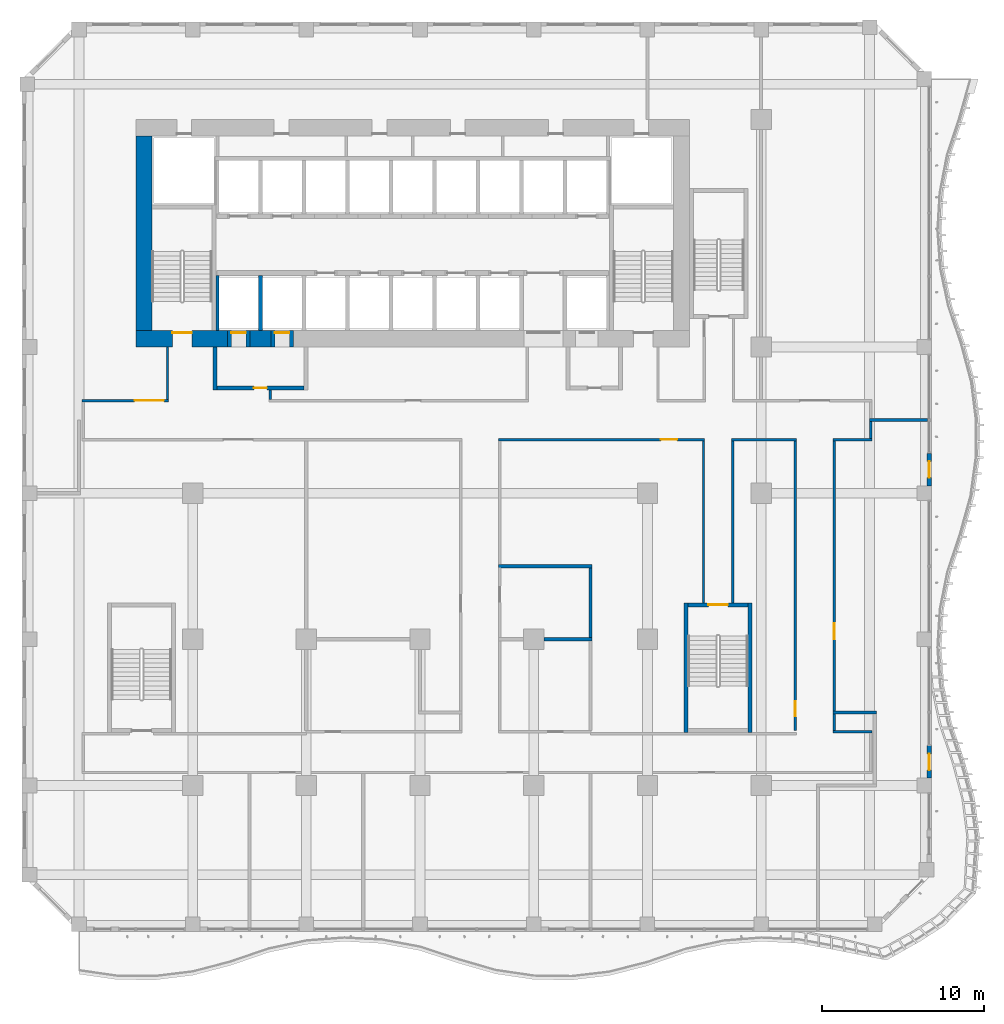
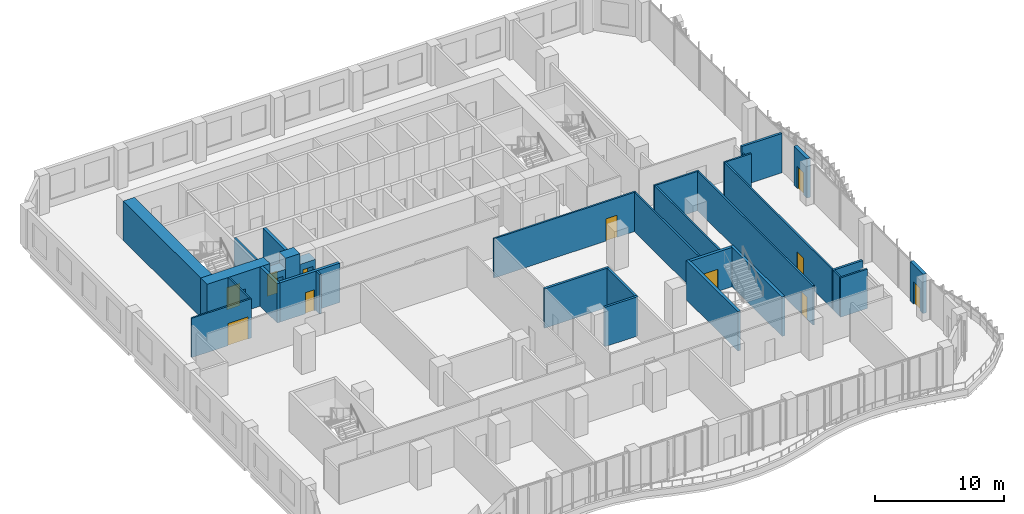
# One storey, part 15 of 29: 32 walls, 11 doors, 11 openings.
"""IFC4 building model written with IfcOpenShell, lengths in metres."""

from ifc_helpers import new_model, si_unit, direction, frame, frame_2d, origin, place, context, subcontext, project, spatial, rectangle, extrude, source, transform, mapped, material, layer, layer_set, type_object, element, fill, save


model = new_model("IFC4")

# Units and contexts
model_context = context("Model", 3, precision=1e-05, world=origin(), true_north=direction((0.0, 1.0)))
body_context = subcontext(model_context, "Body", "Model", "MODEL_VIEW")
ifc_project = project(units=[si_unit("LENGTHUNIT", "METRE"), si_unit("AREAUNIT", "SQUARE_METRE"), si_unit("VOLUMEUNIT", "CUBIC_METRE"), si_unit("PLANEANGLEUNIT", "RADIAN"), si_unit("MASSUNIT", "GRAM", prefix="KILO")], contexts=[model_context])

# Site, building, storey
site_placement = place(None, origin())
site = spatial("IfcSite", under=ifc_project, at=site_placement, CompositionType="ELEMENT")
building_placement = place(site_placement, origin())
building = spatial("IfcBuilding", under=site, at=building_placement, Name="Kilnfold Tower and Market Hall", CompositionType="ELEMENT")
storey_placement = place(building_placement, frame((0.0, 0.0, 79.199951171875)))
storey = spatial("IfcBuildingStorey", under=building, at=storey_placement, Name="L18", CompositionType="ELEMENT", Elevation=79.199951171875)

# Wall, opening, door
ifc_material_1 = material(Name="Gypsum board on steel studs", Category="steel")
ifc_layer_1 = layer(ifc_material_1, 0.14990234375)
ifc_layer_set_1 = layer_set([ifc_layer_1], Name="Gypsum board on steel studs")
wall_type_1 = type_object("IfcWallType", Name="WALL CORRIDOR 150", PredefinedType="PARTITIONING", material=ifc_layer_set_1)
wall_1_placement = place(storey_placement, frame((-19.324951171875, 4.699951171875, 0.0), z_axis=(0.0, 0.0, 1.0), x_axis=(1.0, 0.0, 0.0)))
wall_1 = element("IfcWall", 1, at=wall_1_placement, inside=storey, type_object=wall_type_1, Name="Partition LY13.7", PredefinedType="PARTITIONING", context=body_context, shape_type="SweptSolid", body=[
    extrude(rectangle(XDim=5.349853515625, YDim=0.14990234375, at=frame_2d((2.6748046875, 0.0))), origin(), (0.0, 0.0, 1.0), 3.719970703125),
])
opening_1_placement = place(wall_1_placement, frame((3.248046875, 0.0, 0.0)))
opening_1 = element("IfcOpeningElement", 2, at=opening_1_placement, cuts=wall_1, Name="Opening D5", PredefinedType="OPENING", context=body_context, shape_type="SweptSolid", body=[
    extrude(rectangle(XDim=1.800048828125, YDim=2.10009765625, at=frame_2d((0.89990234375, 1.050048828125))), frame((0.0, 0.0849609375, 0.0), z_axis=(0.0, -1.0, 0.0), x_axis=(1.0, 0.0, 0.0)), (0.0, 0.0, 1.0), 0.169921875),
])
ifc_material_2 = material(Name="Timber veneer door leaf in steel frame", Category="steel")
door_type_1 = type_object("IfcDoorType", Name="DOOR DOUBLE 1800 X2100", OperationType="NOTDEFINED", PredefinedType="DOOR", material=ifc_material_2)
door_1_placement = place(opening_1_placement, origin())
door_1 = element("IfcDoor", 3, at=door_1_placement, inside=storey, type_object=door_type_1, Name="Door D5", OperationType="DOUBLE_DOOR_SINGLE_SWING", OverallHeight=2.10009765625, OverallWidth=1.800048828125, PredefinedType="DOOR", context=body_context, shape_type="SweptSolid", body=[
    extrude(rectangle(XDim=1.800048828125, YDim=2.10009765625, at=frame_2d((0.89990234375, 1.050048828125))), frame((0.0, 0.02490234375, 0.0), z_axis=(0.0, -1.0, 0.0), x_axis=(1.0, 0.0, 0.0)), (0.0, 0.0, 1.0), 0.050048828125),
])
fill(opening_1, door_1)

# Walls
wall_2_placement = place(storey_placement, frame((-14.050048828125, 8.0, 0.0), z_axis=(0.0, 0.0, 1.0), x_axis=(0.0, -1.0, 0.0)))
element("IfcWall", 4, at=wall_2_placement, inside=storey, type_object=wall_type_1, Name="Partition LY13.8", PredefinedType="PARTITIONING", context=body_context, shape_type="SweptSolid", body=[
    extrude(rectangle(XDim=3.22509765625, YDim=0.14990234375, at=frame_2d((1.612548828125, 0.0))), origin(), (0.0, 0.0, 1.0), 3.719970703125),
])
wall_3_placement = place(storey_placement, frame((-7.72998046875, 4.77490234375, 0.0), z_axis=(0.0, 0.0, 1.0), x_axis=(0.0, 1.0, 0.0)))
element("IfcWall", 5, at=wall_3_placement, inside=storey, type_object=wall_type_1, Name="Partition LY13.9", PredefinedType="PARTITIONING", context=body_context, shape_type="SweptSolid", body=[
    extrude(rectangle(XDim=0.5751953125, YDim=0.14990234375, at=frame_2d((0.28759765625, 0.0))), origin(), (0.0, 0.0, 1.0), 3.719970703125),
])
wall_4_placement = place(storey_placement, frame((27.0, -15.625, 0.0), z_axis=(0.0, 0.0, 1.0), x_axis=(0.0, 1.0, 0.0)))
element("IfcWall", 6, at=wall_4_placement, inside=storey, type_object=wall_type_1, Name="Partition LY13.15", PredefinedType="PARTITIONING", context=body_context, shape_type="SweptSolid", body=[
    extrude(rectangle(XDim=1.034912109375, YDim=0.14990234375, at=frame_2d((0.517578125, 0.0))), origin(), (0.0, 0.0, 1.0), 3.719970703125),
])
wall_5_placement = place(storey_placement, frame((26.925048828125, -15.699951171875, 0.0), z_axis=(0.0, 0.0, 1.0), x_axis=(1.0, 0.0, 0.0)))
element("IfcWall", 7, at=wall_5_placement, inside=storey, type_object=wall_type_1, Name="Partition LY13.16", PredefinedType="PARTITIONING", context=body_context, shape_type="SweptSolid", body=[
    extrude(rectangle(XDim=2.39990234375, YDim=0.14990234375, at=frame_2d((1.199951171875, 0.0))), origin(), (0.0, 0.0, 1.0), 3.719970703125),
])
wall_6_placement = place(storey_placement, frame((18.949951171875, 2.22509765625, 0.0), z_axis=(0.0, 0.0, 1.0), x_axis=(0.0, -1.0, 0.0)))
element("IfcWall", 8, at=wall_6_placement, inside=storey, type_object=wall_type_1, Name="Partition LY13.21", PredefinedType="PARTITIONING", context=body_context, shape_type="SweptSolid", body=[
    extrude(rectangle(XDim=9.97509765625, YDim=0.14990234375, at=frame_2d((4.987548828125, 0.0))), origin(), (0.0, 0.0, 1.0), 3.719970703125),
])

# Wall, opening, door
wall_7_placement = place(storey_placement, frame((6.324951171875, 2.300048828125, 0.0), z_axis=(0.0, 0.0, 1.0), x_axis=(1.0, 0.0, 0.0)))
wall_7 = element("IfcWall", 9, at=wall_7_placement, inside=storey, type_object=wall_type_1, Name="Partition LY13.22", PredefinedType="PARTITIONING", context=body_context, shape_type="SweptSolid", body=[
    extrude(rectangle(XDim=12.699951171875, YDim=0.14990234375, at=frame_2d((6.35009765625, 0.0))), origin(), (0.0, 0.0, 1.0), 3.719970703125),
])
opening_2_placement = place(wall_7_placement, frame((10.0, 0.0, 0.0)))
opening_2 = element("IfcOpeningElement", 10, at=opening_2_placement, cuts=wall_7, Name="Opening D1", PredefinedType="OPENING", context=body_context, shape_type="SweptSolid", body=[
    extrude(rectangle(XDim=1.0, YDim=2.10009765625, at=frame_2d((0.5, 1.050048828125))), frame((0.0, 0.0849609375, 0.0), z_axis=(0.0, -1.0, 0.0), x_axis=(1.0, 0.0, 0.0)), (0.0, 0.0, 1.0), 0.169921875),
])
ifc_material_3 = material(Name="Timber veneer door leaf in steel frame", Category="steel")
door_type_2 = type_object("IfcDoorType", Name="DOOR ENTRY 1000 X2100", OperationType="NOTDEFINED", PredefinedType="DOOR", material=ifc_material_3)
door_2_placement = place(opening_2_placement, origin())
door_2 = element("IfcDoor", 11, at=door_2_placement, inside=storey, type_object=door_type_2, Name="Door D1", OperationType="SINGLE_SWING_LEFT", OverallHeight=2.10009765625, OverallWidth=1.0, PredefinedType="DOOR", context=body_context, shape_type="SweptSolid", body=[
    extrude(rectangle(XDim=1.0, YDim=2.10009765625, at=frame_2d((0.5, 1.050048828125))), frame((0.0, 0.02490234375, 0.0), z_axis=(0.0, -1.0, 0.0), x_axis=(1.0, 0.0, 0.0)), (0.0, 0.0, 1.0), 0.050048828125),
])
fill(opening_2, door_2)

wall_8_placement = place(storey_placement, frame((24.60009765625, 2.22509765625, 0.0), z_axis=(0.0, 0.0, 1.0), x_axis=(0.0, -1.0, 0.0)))
wall_8 = element("IfcWall", 12, at=wall_8_placement, inside=storey, type_object=wall_type_1, Name="Partition LY13.31", PredefinedType="PARTITIONING", context=body_context, shape_type="SweptSolid", body=[
    extrude(rectangle(XDim=17.85009765625, YDim=0.14990234375, at=frame_2d((8.925048828125, 0.0))), origin(), (0.0, 0.0, 1.0), 3.719970703125),
])
opening_3_placement = place(wall_8_placement, frame((16.048095703125, 0.0, 0.0)))
opening_3 = element("IfcOpeningElement", 13, at=opening_3_placement, cuts=wall_8, Name="Opening D2", PredefinedType="OPENING", context=body_context, shape_type="SweptSolid", body=[
    extrude(rectangle(XDim=0.89990234375, YDim=2.10009765625, at=frame_2d((0.449951171875, 1.050048828125))), frame((0.0, 0.0849609375, 0.0), z_axis=(0.0, -1.0, 0.0), x_axis=(1.0, 0.0, 0.0)), (0.0, 0.0, 1.0), 0.169921875),
])
ifc_material_4 = material(Name="Timber veneer door leaf in steel frame", Category="steel")
door_type_3 = type_object("IfcDoorType", Name="DOOR ROOM 900 X2100", OperationType="NOTDEFINED", PredefinedType="DOOR", material=ifc_material_4)
door_3_placement = place(opening_3_placement, origin())
door_3 = element("IfcDoor", 14, at=door_3_placement, inside=storey, type_object=door_type_3, Name="Door D2", OperationType="SINGLE_SWING_LEFT", OverallHeight=2.10009765625, OverallWidth=0.89990234375, PredefinedType="DOOR", context=body_context, shape_type="SweptSolid", body=[
    extrude(rectangle(XDim=0.89990234375, YDim=2.10009765625, at=frame_2d((0.449951171875, 1.050048828125))), frame((0.0, 0.02490234375, 0.0), z_axis=(0.0, -1.0, 0.0), x_axis=(1.0, 0.0, 0.0)), (0.0, 0.0, 1.0), 0.050048828125),
])
fill(opening_3, door_3)

# Walls
wall_9_placement = place(storey_placement, frame((20.675048828125, 2.300048828125, 0.0), z_axis=(0.0, 0.0, 1.0), x_axis=(1.0, 0.0, 0.0)))
element("IfcWall", 15, at=wall_9_placement, inside=storey, type_object=wall_type_1, Name="Partition LY13.32", PredefinedType="PARTITIONING", context=body_context, shape_type="SweptSolid", body=[
    extrude(rectangle(XDim=4.0, YDim=0.14990234375, at=frame_2d((2.0, 0.0))), origin(), (0.0, 0.0, 1.0), 3.719970703125),
])
wall_10_placement = place(storey_placement, frame((20.75, -7.75, 0.0), z_axis=(0.0, 0.0, 1.0), x_axis=(0.0, 1.0, 0.0)))
element("IfcWall", 16, at=wall_10_placement, inside=storey, type_object=wall_type_1, Name="Partition LY13.33", PredefinedType="PARTITIONING", context=body_context, shape_type="SweptSolid", body=[
    extrude(rectangle(XDim=9.97509765625, YDim=0.14990234375, at=frame_2d((4.987548828125, 0.0))), origin(), (0.0, 0.0, 1.0), 3.719970703125),
])
wall_11_placement = place(storey_placement, frame((29.25, 2.375, 0.0), z_axis=(0.0, 0.0, 1.0), x_axis=(0.0, 1.0, 0.0)))
element("IfcWall", 17, at=wall_11_placement, inside=storey, type_object=wall_type_1, Name="Partition LY13.34", PredefinedType="PARTITIONING", context=body_context, shape_type="SweptSolid", body=[
    extrude(rectangle(XDim=1.034912109375, YDim=0.14990234375, at=frame_2d((0.517578125, 0.0))), origin(), (0.0, 0.0, 1.0), 3.070068359375),
])
wall_12_placement = place(storey_placement, frame((26.925048828125, 2.300048828125, 0.0), z_axis=(0.0, 0.0, 1.0), x_axis=(1.0, 0.0, 0.0)))
element("IfcWall", 18, at=wall_12_placement, inside=storey, type_object=wall_type_1, Name="Partition LY13.35", PredefinedType="PARTITIONING", context=body_context, shape_type="SweptSolid", body=[
    extrude(rectangle(XDim=2.39990234375, YDim=0.14990234375, at=frame_2d((1.199951171875, 0.0))), origin(), (0.0, 0.0, 1.0), 3.719970703125),
])

# Wall, opening, door
wall_13_placement = place(storey_placement, frame((27.0, -14.409912109375, 0.0), z_axis=(0.0, 0.0, 1.0), x_axis=(0.0, 1.0, 0.0)))
wall_13 = element("IfcWall", 19, at=wall_13_placement, inside=storey, type_object=wall_type_1, Name="Partition LY13.36", PredefinedType="PARTITIONING", context=body_context, shape_type="SweptSolid", body=[
    extrude(rectangle(XDim=16.635009765625, YDim=0.14990234375, at=frame_2d((8.3173828125, 0.0))), origin(), (0.0, 0.0, 1.0), 3.719970703125),
])
opening_4_placement = place(wall_13_placement, frame((4.409912109375, 0.0, 0.0)))
opening_4 = element("IfcOpeningElement", 20, at=opening_4_placement, cuts=wall_13, Name="Opening D1", PredefinedType="OPENING", context=body_context, shape_type="SweptSolid", body=[
    extrude(rectangle(XDim=1.0, YDim=2.10009765625, at=frame_2d((0.5, 1.050048828125))), frame((0.0, 0.0849609375, 0.0), z_axis=(0.0, -1.0, 0.0), x_axis=(1.0, 0.0, 0.0)), (0.0, 0.0, 1.0), 0.169921875),
])
door_4_placement = place(opening_4_placement, origin())
door_4 = element("IfcDoor", 21, at=door_4_placement, inside=storey, type_object=door_type_2, Name="Door D1", OperationType="SINGLE_SWING_LEFT", OverallHeight=2.10009765625, OverallWidth=1.0, PredefinedType="DOOR", context=body_context, shape_type="SweptSolid", body=[
    extrude(rectangle(XDim=1.0, YDim=2.10009765625, at=frame_2d((0.5, 1.050048828125))), frame((0.0, 0.02490234375, 0.0), z_axis=(0.0, -1.0, 0.0), x_axis=(1.0, 0.0, 0.0)), (0.0, 0.0, 1.0), 0.050048828125),
])
fill(opening_4, door_4)

# Walls
ifc_material_5 = material(Name="Gypsum board on steel studs", Category="steel")
ifc_layer_2 = layer(ifc_material_5, 0.199951171875)
ifc_layer_set_2 = layer_set([ifc_layer_2], Name="Gypsum board on steel studs")
wall_type_2 = type_object("IfcWallType", Name="WALL PARTY 200", PredefinedType="PARTITIONING", material=ifc_layer_set_2)
wall_14_placement = place(storey_placement, frame((26.926025390625, -14.5, 0.0), z_axis=(0.0, 0.0, 1.0), x_axis=(1.0, 0.0, 0.0)))
element("IfcWall", 22, at=wall_14_placement, inside=storey, type_object=wall_type_2, Name="Partition LY13.48", PredefinedType="PARTITIONING", context=body_context, shape_type="SweptSolid", body=[
    extrude(rectangle(XDim=2.674072265625, YDim=0.199951171875, at=frame_2d((1.3369140625, 0.0))), origin(), (0.0, 0.0, 1.0), 3.719970703125),
])
wall_15_placement = place(storey_placement, frame((9.125, -10.0, 0.0), z_axis=(0.0, 0.0, 1.0), x_axis=(1.0, 0.0, 0.0)))
element("IfcWall", 23, at=wall_15_placement, inside=storey, type_object=wall_type_2, Name="Partition LY13.53", PredefinedType="PARTITIONING", context=body_context, shape_type="SweptSolid", body=[
    extrude(rectangle(XDim=2.97509765625, YDim=0.199951171875, at=frame_2d((1.487548828125, 0.0))), origin(), (0.0, 0.0, 1.0), 3.719970703125),
])
wall_16_placement = place(storey_placement, frame((12.10009765625, -5.5, 0.0), z_axis=(0.0, 0.0, 1.0), x_axis=(-1.0, 0.0, 0.0)))
element("IfcWall", 24, at=wall_16_placement, inside=storey, type_object=wall_type_2, Name="Partition LY13.55", PredefinedType="PARTITIONING", context=body_context, shape_type="SweptSolid", body=[
    extrude(rectangle(XDim=5.774169921875, YDim=0.199951171875, at=frame_2d((2.88720703125, 0.0))), origin(), (0.0, 0.0, 1.0), 3.719970703125),
])
wall_17_placement = place(storey_placement, frame((12.0, -9.89990234375, 0.0), z_axis=(0.0, 0.0, 1.0), x_axis=(0.0, 1.0, 0.0)))
element("IfcWall", 25, at=wall_17_placement, inside=storey, type_object=wall_type_2, Name="Partition LY13.56", PredefinedType="PARTITIONING", context=body_context, shape_type="SweptSolid", body=[
    extrude(rectangle(XDim=4.2998046875, YDim=0.199951171875, at=frame_2d((2.14990234375, 0.0))), origin(), (0.0, 0.0, 1.0), 3.719970703125),
])
wall_18_placement = place(storey_placement, frame((29.176025390625, 3.5, 0.0), z_axis=(0.0, 0.0, 1.0), x_axis=(1.0, 0.0, 0.0)))
element("IfcWall", 26, at=wall_18_placement, inside=storey, type_object=wall_type_2, Name="Partition LY13.60", PredefinedType="PARTITIONING", context=body_context, shape_type="SweptSolid", body=[
    extrude(rectangle(XDim=3.573974609375, YDim=0.199951171875, at=frame_2d((1.787109375, 0.0))), origin(), (0.0, 0.0, 1.0), 3.719970703125),
])

# Wall, opening, door
ifc_material_6 = material(Name="Concrete C80", Category="concrete")
ifc_layer_3 = layer(ifc_material_6, 1.0)
ifc_layer_set_3 = layer_set([ifc_layer_3], Name="Concrete C80")
wall_type_3 = type_object("IfcWallType", Name="CORE WALL 1000 C80", PredefinedType="SHEAR", material=ifc_layer_set_3)
shared_shape_1 = source(origin(), body_context, "Body", "SweptSolid", [
    extrude(rectangle(XDim=5.6298828125, YDim=1.0, at=frame_2d((2.81494140625, 0.0))), origin(), (0.0, 0.0, 1.0), 3.719970703125),
])
wall_19_placement = place(storey_placement, frame((-16.0, 8.5, 0.0), z_axis=(0.0, 0.0, 1.0), x_axis=(1.0, 0.0, 0.0)))
wall_19 = element("IfcWall", 27, at=wall_19_placement, inside=storey, type_object=wall_type_3, Name="Core outer wall south", PredefinedType="SHEAR", context=body_context, shape_type="MappedRepresentation", body=[
    mapped(shared_shape_1, transform((0.0, 0.0, 0.0))),
])
opening_5_placement = place(wall_19_placement, frame((2.25, 0.0, 0.0)))
opening_5 = element("IfcOpeningElement", 28, at=opening_5_placement, cuts=wall_19, Name="Opening SD1", PredefinedType="OPENING", context=body_context, shape_type="SweptSolid", body=[
    extrude(rectangle(XDim=1.199951171875, YDim=2.10009765625, at=frame_2d((0.60009765625, 1.050048828125))), frame((0.0, 0.510009765625, 0.0), z_axis=(0.0, -1.0, 0.0), x_axis=(1.0, 0.0, 0.0)), (0.0, 0.0, 1.0), 1.02001953125),
])
ifc_material_7 = material(Name="Steel door set with fire-resisting leaf", Category="steel")
door_type_4 = type_object("IfcDoorType", Name="STAIR FLOOR DOOR 1200X2100", OperationType="NOTDEFINED", PredefinedType="DOOR", material=ifc_material_7)
door_5_placement = place(opening_5_placement, origin())
door_5 = element("IfcDoor", 29, at=door_5_placement, inside=storey, type_object=door_type_4, Name="Exit stair ST1 door", OperationType="DOUBLE_DOOR_SINGLE_SWING", OverallHeight=2.10009765625, OverallWidth=1.199951171875, PredefinedType="DOOR", context=body_context, shape_type="SweptSolid", body=[
    extrude(rectangle(XDim=1.199951171875, YDim=2.10009765625, at=frame_2d((0.60009765625, 1.050048828125))), frame((0.0, 0.40478515625, 0.0), z_axis=(0.0, -1.0, 0.0), x_axis=(1.0, 0.0, 0.0)), (0.0, 0.0, 1.0), 0.050048828125),
])
fill(opening_5, door_5)

# Walls
shared_shape_2 = source(origin(), body_context, "Body", "SweptSolid", [
    extrude(rectangle(XDim=1.280029296875, YDim=1.0, at=frame_2d((0.64013671875, 0.0))), origin(), (0.0, 0.0, 1.0), 3.719970703125),
])
wall_20_placement = place(storey_placement, frame((-8.969970703125, 8.5, 0.0), z_axis=(0.0, 0.0, 1.0), x_axis=(1.0, 0.0, 0.0)))
element("IfcWall", 30, at=wall_20_placement, inside=storey, type_object=wall_type_3, Name="Core outer wall south", PredefinedType="SHEAR", context=body_context, shape_type="MappedRepresentation", body=[
    mapped(shared_shape_2, transform((0.0, 0.0, 0.0))),
])
shared_shape_3 = source(origin(), body_context, "Body", "SweptSolid", [
    extrude(rectangle(XDim=12.0, YDim=1.0, at=frame_2d((6.0, 0.0))), origin(), (0.0, 0.0, 1.0), 3.719970703125),
])
wall_21_placement = place(storey_placement, frame((-15.5, 9.0, 0.0), z_axis=(0.0, 0.0, 1.0), x_axis=(0.0, 1.0, 0.0)))
element("IfcWall", 31, at=wall_21_placement, inside=storey, type_object=wall_type_3, Name="Core outer wall west", PredefinedType="SHEAR", context=body_context, shape_type="MappedRepresentation", body=[
    mapped(shared_shape_3, transform((0.0, 0.0, 0.0))),
])

# Wall, opening, door
ifc_material_8 = material(Name="Concrete C80", Category="concrete")
ifc_layer_4 = layer(ifc_material_8, 0.25)
ifc_layer_set_4 = layer_set([ifc_layer_4], Name="Concrete C80")
wall_type_4 = type_object("IfcWallType", Name="CORE WALL 250 C80", PredefinedType="SHEAR", material=ifc_layer_set_4)
shared_shape_4 = source(origin(), body_context, "Body", "SweptSolid", [
    extrude(rectangle(XDim=3.699951171875, YDim=0.25, at=frame_2d((1.85009765625, 0.0))), origin(), (0.0, 0.0, 1.0), 3.719970703125),
])
wall_22_placement = place(storey_placement, frame((18.0, -7.875, 0.0), z_axis=(0.0, 0.0, 1.0), x_axis=(1.0, 0.0, 0.0)))
wall_22 = element("IfcWall", 32, at=wall_22_placement, inside=storey, type_object=wall_type_4, Name="Stair enclosure ST4", PredefinedType="SHEAR", context=body_context, shape_type="MappedRepresentation", body=[
    mapped(shared_shape_4, transform((0.0, 0.0, 0.0))),
])
opening_6_placement = place(wall_22_placement, frame((1.25, 0.0, 0.0)))
opening_6 = element("IfcOpeningElement", 33, at=opening_6_placement, cuts=wall_22, Name="Opening SD1", PredefinedType="OPENING", context=body_context, shape_type="SweptSolid", body=[
    extrude(rectangle(XDim=1.199951171875, YDim=2.10009765625, at=frame_2d((0.60009765625, 1.050048828125))), frame((0.0, 0.135009765625, 0.0), z_axis=(0.0, -1.0, 0.0), x_axis=(1.0, 0.0, 0.0)), (0.0, 0.0, 1.0), 0.27001953125),
])
door_6_placement = place(opening_6_placement, origin())
door_6 = element("IfcDoor", 34, at=door_6_placement, inside=storey, type_object=door_type_4, Name="Exit stair ST4 door", OperationType="DOUBLE_DOOR_SINGLE_SWING", OverallHeight=2.10009765625, OverallWidth=1.199951171875, PredefinedType="DOOR", context=body_context, shape_type="SweptSolid", body=[
    extrude(rectangle(XDim=1.199951171875, YDim=2.10009765625, at=frame_2d((0.60009765625, 1.050048828125))), frame((0.0, 0.02490234375, 0.0), z_axis=(0.0, -1.0, 0.0), x_axis=(1.0, 0.0, 0.0)), (0.0, 0.0, 1.0), 0.050048828125),
])
fill(opening_6, door_6)

# Walls
shared_shape_5 = source(origin(), body_context, "Body", "SweptSolid", [
    extrude(rectangle(XDim=8.0, YDim=0.25, at=frame_2d((4.0, 0.0))), origin(), (0.0, 0.0, 1.0), 3.719970703125),
])
for number, where, z_axis, x_axis, name in (
    (35, (17.875, -15.75, 0.0), (0.0, 0.0, 1.0), (0.0, 1.0, 0.0), "Stair enclosure ST4"),
    (36, (21.824951171875, -15.75, 0.0), (0.0, 0.0, 1.0), (0.0, 1.0, 0.0), "Stair enclosure ST4"),
):
    element("IfcWall", number, at=place(storey_placement, frame(where, z_axis=z_axis, x_axis=x_axis)), inside=storey, type_object=wall_type_4, Name=name, PredefinedType="SHEAR", context=body_context, shape_type="MappedRepresentation", body=[
        mapped(shared_shape_5, transform((0.0, 0.0, 0.0))),
    ])

# Wall, opening, door
ifc_material_9 = material(Name="Precast concrete C50/60", Category="concrete")
ifc_layer_5 = layer(ifc_material_9, 0.300048828125)
ifc_layer_set_5 = layer_set([ifc_layer_5], Name="Precast concrete C50/60")
wall_type_5 = type_object("IfcWallType", Name="PRECAST WALL 300", PredefinedType="SOLIDWALL", material=ifc_layer_set_5)
shared_shape_6 = source(origin(), body_context, "Body", "SweptSolid", [
    extrude(rectangle(XDim=2.0, YDim=0.300048828125, at=frame_2d((1.0, 0.0))), origin(), (0.0, 0.0, 1.0), 3.719970703125),
])
wall_23_placement = place(storey_placement, frame((32.85009765625, -18.550048828125, 0.0), z_axis=(0.0, 0.0, 1.0), x_axis=(0.0, 1.0, 0.0)))
wall_23 = element("IfcWall", 37, at=wall_23_placement, inside=storey, type_object=wall_type_5, Name="External wall L18 E", PredefinedType="SOLIDWALL", context=body_context, shape_type="MappedRepresentation", body=[
    mapped(shared_shape_6, transform((0.0, 0.0, 0.0))),
])
opening_7_placement = place(wall_23_placement, frame((0.5, 0.0, 0.0)))
opening_7 = element("IfcOpeningElement", 38, at=opening_7_placement, cuts=wall_23, Name="Opening BD1", PredefinedType="OPENING", context=body_context, shape_type="SweptSolid", body=[
    extrude(rectangle(XDim=1.0, YDim=2.10009765625, at=frame_2d((0.5, 1.050048828125))), frame((0.0, 0.16015625, 0.0), z_axis=(0.0, -1.0, 0.0), x_axis=(1.0, 0.0, 0.0)), (0.0, 0.0, 1.0), 0.320068359375),
])
ifc_material_10 = material(Name="Aluminium frame and double glazing", Category="aluminium")
door_type_5 = type_object("IfcDoorType", Name="BALCONY DOOR 1000X2100", OperationType="NOTDEFINED", PredefinedType="DOOR", material=ifc_material_10)
door_7_placement = place(opening_7_placement, origin())
door_7 = element("IfcDoor", 39, at=door_7_placement, inside=storey, type_object=door_type_5, Name="Balcony door BD1 L18 E-1", OperationType="SINGLE_SWING_LEFT", OverallHeight=2.10009765625, OverallWidth=1.0, PredefinedType="DOOR", context=body_context, shape_type="SweptSolid", body=[
    extrude(rectangle(XDim=1.0, YDim=2.10009765625, at=frame_2d((0.5, 1.050048828125))), frame((0.0, 0.02490234375, 0.0), z_axis=(0.0, -1.0, 0.0), x_axis=(1.0, 0.0, 0.0)), (0.0, 0.0, 1.0), 0.050048828125),
])
fill(opening_7, door_7)

wall_24_placement = place(storey_placement, frame((32.85009765625, -0.550048828125, 0.0), z_axis=(0.0, 0.0, 1.0), x_axis=(0.0, 1.0, 0.0)))
wall_24 = element("IfcWall", 40, at=wall_24_placement, inside=storey, type_object=wall_type_5, Name="External wall L18 E", PredefinedType="SOLIDWALL", context=body_context, shape_type="MappedRepresentation", body=[
    mapped(shared_shape_6, transform((0.0, 0.0, 0.0))),
])
opening_8_placement = place(wall_24_placement, frame((0.5, 0.0, 0.0)))
opening_8 = element("IfcOpeningElement", 41, at=opening_8_placement, cuts=wall_24, Name="Opening BD1", PredefinedType="OPENING", context=body_context, shape_type="SweptSolid", body=[
    extrude(rectangle(XDim=1.0, YDim=2.10009765625, at=frame_2d((0.5, 1.050048828125))), frame((0.0, 0.16015625, 0.0), z_axis=(0.0, -1.0, 0.0), x_axis=(1.0, 0.0, 0.0)), (0.0, 0.0, 1.0), 0.320068359375),
])
door_8_placement = place(opening_8_placement, origin())
door_8 = element("IfcDoor", 42, at=door_8_placement, inside=storey, type_object=door_type_5, Name="Balcony door BD1 L18 E-1", OperationType="SINGLE_SWING_LEFT", OverallHeight=2.10009765625, OverallWidth=1.0, PredefinedType="DOOR", context=body_context, shape_type="SweptSolid", body=[
    extrude(rectangle(XDim=1.0, YDim=2.10009765625, at=frame_2d((0.5, 1.050048828125))), frame((0.0, 0.02490234375, 0.0), z_axis=(0.0, -1.0, 0.0), x_axis=(1.0, 0.0, 0.0)), (0.0, 0.0, 1.0), 0.050048828125),
])
fill(opening_8, door_8)

ifc_material_11 = material(Name="Gypsum shaft wall system")
ifc_layer_6 = layer(ifc_material_11, 1.0)
ifc_layer_set_6 = layer_set([ifc_layer_6], Name="Gypsum shaft wall system")
wall_type_6 = type_object("IfcWallType", Name="LOBBY WALL 1000", PredefinedType="PARTITIONING", material=ifc_layer_set_6)
shared_shape_7 = source(origin(), body_context, "Body", "SweptSolid", [
    extrude(rectangle(XDim=1.400146484375, YDim=1.0, at=frame_2d((0.7001953125, 0.0))), origin(), (0.0, 0.0, 1.0), 2.699951171875),
])
wall_25_placement = place(storey_placement, frame((-10.3701171875, 8.5, 0.0), z_axis=(0.0, 0.0, 1.0), x_axis=(1.0, 0.0, 0.0)))
wall_25 = element("IfcWall", 43, at=wall_25_placement, inside=storey, type_object=wall_type_6, Name="Core wall infill", PredefinedType="PARTITIONING", context=body_context, shape_type="MappedRepresentation", body=[
    mapped(shared_shape_7, transform((0.0, 0.0, 0.0))),
])
opening_9_placement = place(wall_25_placement, frame((0.25, 0.0, 0.0)))
opening_9 = element("IfcOpeningElement", 44, at=opening_9_placement, cuts=wall_25, Name="Opening LD1", PredefinedType="OPENING", context=body_context, shape_type="SweptSolid", body=[
    extrude(rectangle(XDim=0.89990234375, YDim=2.10009765625, at=frame_2d((0.449951171875, 1.050048828125))), frame((0.0, 0.510009765625, 0.0), z_axis=(0.0, -1.0, 0.0), x_axis=(1.0, 0.0, 0.0)), (0.0, 0.0, 1.0), 1.02001953125),
])
ifc_material_12 = material(Name="Steel door set with fire-resisting leaf", Category="steel")
door_type_6 = type_object("IfcDoorType", Name="FIREFIGHTING LANDING DOOR 900X2100", OperationType="NOTDEFINED", PredefinedType="DOOR", material=ifc_material_12)
door_9_placement = place(opening_9_placement, origin())
door_9 = element("IfcDoor", 45, at=door_9_placement, inside=storey, type_object=door_type_6, Name="Landing door FF1", OperationType="SLIDING_TO_LEFT", OverallHeight=2.10009765625, OverallWidth=0.89990234375, PredefinedType="DOOR", context=body_context, shape_type="SweptSolid", body=[
    extrude(rectangle(XDim=0.89990234375, YDim=2.10009765625, at=frame_2d((0.449951171875, 1.050048828125))), frame((0.0, 0.40478515625, 0.0), z_axis=(0.0, -1.0, 0.0), x_axis=(1.0, 0.0, 0.0)), (0.0, 0.0, 1.0), 0.050048828125),
])
fill(opening_9, door_9)

shared_shape_8 = source(origin(), body_context, "Body", "SweptSolid", [
    extrude(rectangle(XDim=1.39990234375, YDim=1.0, at=frame_2d((0.699951171875, 0.0))), origin(), (0.0, 0.0, 1.0), 2.699951171875),
])
wall_26_placement = place(storey_placement, frame((-7.68994140625, 8.5, 0.0), z_axis=(0.0, 0.0, 1.0), x_axis=(1.0, 0.0, 0.0)))
wall_26 = element("IfcWall", 46, at=wall_26_placement, inside=storey, type_object=wall_type_6, Name="Core wall infill", PredefinedType="PARTITIONING", context=body_context, shape_type="MappedRepresentation", body=[
    mapped(shared_shape_8, transform((0.0, 0.0, 0.0))),
])
opening_10_placement = place(wall_26_placement, frame((0.25, 0.0, 0.0)))
opening_10 = element("IfcOpeningElement", 47, at=opening_10_placement, cuts=wall_26, Name="Opening LD1", PredefinedType="OPENING", context=body_context, shape_type="SweptSolid", body=[
    extrude(rectangle(XDim=0.89990234375, YDim=2.10009765625, at=frame_2d((0.449951171875, 1.050048828125))), frame((0.0, 0.510009765625, 0.0), z_axis=(0.0, -1.0, 0.0), x_axis=(1.0, 0.0, 0.0)), (0.0, 0.0, 1.0), 1.02001953125),
])
door_10_placement = place(opening_10_placement, origin())
door_10 = element("IfcDoor", 48, at=door_10_placement, inside=storey, type_object=door_type_6, Name="Landing door FF2", OperationType="SLIDING_TO_RIGHT", OverallHeight=2.10009765625, OverallWidth=0.89990234375, PredefinedType="DOOR", context=body_context, shape_type="SweptSolid", body=[
    extrude(rectangle(XDim=0.89990234375, YDim=2.10009765625, at=frame_2d((0.449951171875, 1.050048828125))), frame((0.0, 0.40478515625, 0.0), z_axis=(0.0, -1.0, 0.0), x_axis=(1.0, 0.0, 0.0)), (0.0, 0.0, 1.0), 0.050048828125),
])
fill(opening_10, door_10)

# Wall
ifc_material_13 = material(Name="Gypsum shaft wall system")
ifc_layer_7 = layer(ifc_material_13, 0.25)
ifc_layer_set_7 = layer_set([ifc_layer_7], Name="Gypsum shaft wall system")
wall_type_7 = type_object("IfcWallType", Name="LOBBY WALL 250", PredefinedType="PARTITIONING", material=ifc_layer_set_7)
shared_shape_9 = source(origin(), body_context, "Body", "SweptSolid", [
    extrude(rectangle(XDim=2.64990234375, YDim=0.25, at=frame_2d((1.324951171875, 0.0))), origin(), (0.0, 0.0, 1.0), 3.719970703125),
])
wall_27_placement = place(storey_placement, frame((-11.135009765625, 5.35009765625, 0.0), z_axis=(0.0, 0.0, 1.0), x_axis=(0.0, 1.0, 0.0)))
element("IfcWall", 49, at=wall_27_placement, inside=storey, type_object=wall_type_7, Name="Firefighting lobby wall", PredefinedType="PARTITIONING", context=body_context, shape_type="MappedRepresentation", body=[
    mapped(shared_shape_9, transform((0.0, 0.0, 0.0))),
])

# Wall, opening, door
shared_shape_10 = source(origin(), body_context, "Body", "SweptSolid", [
    extrude(rectangle(XDim=5.360107421875, YDim=0.25, at=frame_2d((2.68017578125, 0.0))), origin(), (0.0, 0.0, 1.0), 3.719970703125),
])
wall_28_placement = place(storey_placement, frame((-11.010009765625, 5.47509765625, 0.0), z_axis=(0.0, 0.0, 1.0), x_axis=(1.0, 0.0, 0.0)))
wall_28 = element("IfcWall", 50, at=wall_28_placement, inside=storey, type_object=wall_type_7, Name="Firefighting lobby wall", PredefinedType="PARTITIONING", context=body_context, shape_type="MappedRepresentation", body=[
    mapped(shared_shape_10, transform((0.0, 0.0, 0.0))),
])
opening_11_placement = place(wall_28_placement, frame((2.280029296875, 0.0, 0.0)))
opening_11 = element("IfcOpeningElement", 51, at=opening_11_placement, cuts=wall_28, Name="Opening VD1", PredefinedType="OPENING", context=body_context, shape_type="SweptSolid", body=[
    extrude(rectangle(XDim=0.800048828125, YDim=2.0, at=frame_2d((0.39990234375, 1.0))), frame((0.0, 0.135009765625, 0.0), z_axis=(0.0, -1.0, 0.0), x_axis=(1.0, 0.0, 0.0)), (0.0, 0.0, 1.0), 0.27001953125),
])
ifc_material_14 = material(Name="Steel door set with fire-resisting leaf", Category="steel")
door_type_7 = type_object("IfcDoorType", Name="FIREFIGHTING LOBBY DOOR 800X2000", OperationType="NOTDEFINED", PredefinedType="DOOR", material=ifc_material_14)
door_11_placement = place(opening_11_placement, origin())
door_11 = element("IfcDoor", 52, at=door_11_placement, inside=storey, type_object=door_type_7, Name="Firefighting lobby door", OperationType="SINGLE_SWING_LEFT", OverallHeight=2.0, OverallWidth=0.800048828125, PredefinedType="DOOR", context=body_context, shape_type="SweptSolid", body=[
    extrude(rectangle(XDim=0.800048828125, YDim=2.0, at=frame_2d((0.39990234375, 1.0))), frame((0.0, 0.02490234375, 0.0), z_axis=(0.0, -1.0, 0.0), x_axis=(1.0, 0.0, 0.0)), (0.0, 0.0, 1.0), 0.050048828125),
])
fill(opening_11, door_11)

# Walls
ifc_material_15 = material(Name="Gypsum shaft wall system")
ifc_layer_8 = layer(ifc_material_15, 0.25)
ifc_layer_set_8 = layer_set([ifc_layer_8], Name="Gypsum shaft wall system")
wall_type_8 = type_object("IfcWallType", Name="SHAFT WALL 250", PredefinedType="PARTITIONING", material=ifc_layer_set_8)
shared_shape_11 = source(origin(), body_context, "Body", "SweptSolid", [
    extrude(rectangle(XDim=3.39990234375, YDim=0.25, at=frame_2d((1.699951171875, 0.0))), origin(), (0.0, 0.0, 1.0), 3.719970703125),
])
wall_29_placement = place(storey_placement, frame((-8.330078125, 9.0, 0.0), z_axis=(0.0, 0.0, 1.0), x_axis=(0.0, 1.0, 0.0)))
element("IfcWall", 53, at=wall_29_placement, inside=storey, type_object=wall_type_8, Name="Lift shaft wall", PredefinedType="PARTITIONING", context=body_context, shape_type="MappedRepresentation", body=[
    mapped(shared_shape_11, transform((0.0, 0.0, 0.0))),
])
ifc_material_16 = material(Name="Gypsum shaft wall system")
ifc_layer_9 = layer(ifc_material_16, 0.1650390625)
ifc_layer_set_9 = layer_set([ifc_layer_9], Name="Gypsum shaft wall system")
wall_type_9 = type_object("IfcWallType", Name="SHAFT WALL 165", PredefinedType="PARTITIONING", material=ifc_layer_set_9)
shared_shape_12 = source(origin(), body_context, "Body", "SweptSolid", [
    extrude(rectangle(XDim=3.39990234375, YDim=0.1650390625, at=frame_2d((1.699951171875, 0.0))), origin(), (0.0, 0.0, 1.0), 3.719970703125),
])
wall_30_placement = place(storey_placement, frame((-10.967529296875, 9.0, 0.0), z_axis=(0.0, 0.0, 1.0), x_axis=(0.0, 1.0, 0.0)))
element("IfcWall", 54, at=wall_30_placement, inside=storey, type_object=wall_type_9, Name="Lift shaft wall", PredefinedType="PARTITIONING", context=body_context, shape_type="MappedRepresentation", body=[
    mapped(shared_shape_12, transform((0.0, 0.0, 0.0))),
])

save(model, "model.ifc")
